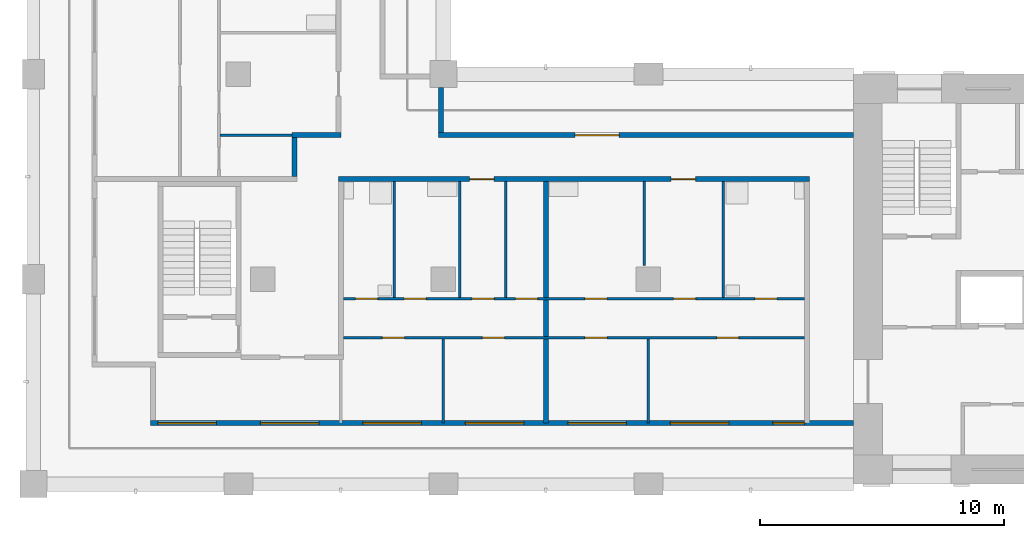
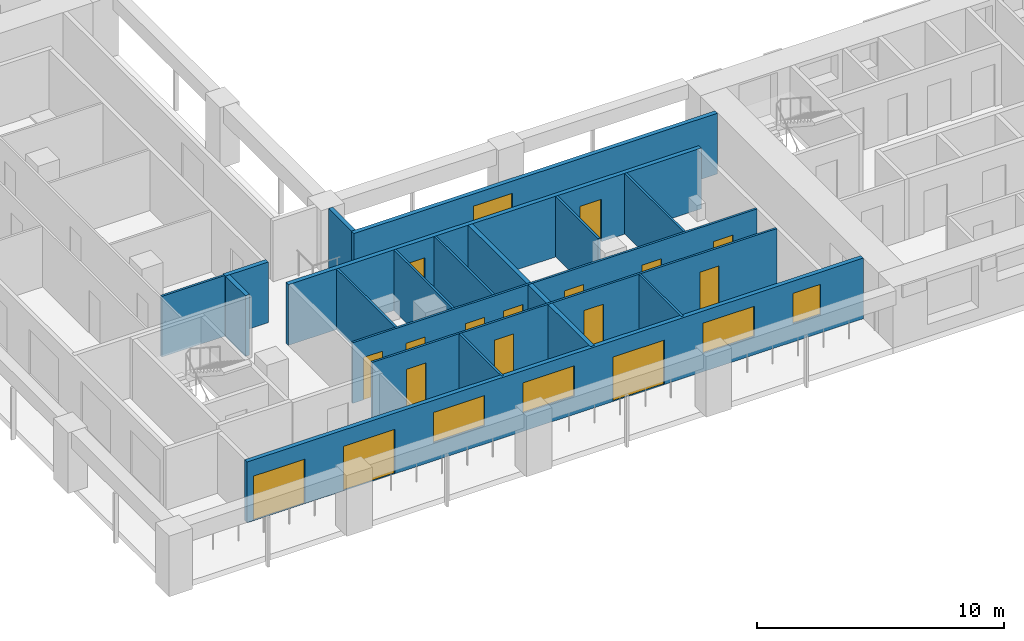
# One storey, part 2 of 11: 17 doors, 17 walls, 4 windows, 21 openings.
"""IFC4 building model written with IfcOpenShell, lengths in metres."""

from ifc_helpers import new_model, si_unit, direction, frame, frame_2d, origin, place, context, subcontext, project, spatial, rectangle, extrude, material, layer, layer_set, type_object, element, fill, save


model = new_model("IFC4")

# Units and contexts
model_context = context("Model", 3, precision=1e-05, world=origin(), true_north=direction((0.0, 1.0)))
body_context = subcontext(model_context, "Body", "Model", "MODEL_VIEW")
ifc_project = project(units=[si_unit("LENGTHUNIT", "METRE"), si_unit("AREAUNIT", "SQUARE_METRE"), si_unit("VOLUMEUNIT", "CUBIC_METRE"), si_unit("PLANEANGLEUNIT", "RADIAN"), si_unit("MASSUNIT", "GRAM", prefix="KILO")], contexts=[model_context])

# Site, building, storey
site_placement = place(None, origin())
site = spatial("IfcSite", under=ifc_project, at=site_placement, CompositionType="ELEMENT")
building_placement = place(site_placement, origin())
building = spatial("IfcBuilding", under=site, at=building_placement, Name="Vermilion Gate Residences", CompositionType="ELEMENT")
storey_placement = place(building_placement, frame((0.0, 0.0, 203.699951171875)))
storey = spatial("IfcBuildingStorey", under=building, at=storey_placement, Name="L53", CompositionType="ELEMENT", Elevation=203.699951171875)

# Wall, openings, doors, windows
ifc_material_1 = material(Name="Insulated steel stud wall with terracotta rainscreen", Category="masonry")
ifc_layer_1 = layer(ifc_material_1, 0.199951171875)
ifc_layer_set_1 = layer_set([ifc_layer_1], Name="EXTERNAL WALL 200 TERRACOTTA RAINSCREEN")
wall_type_1 = type_object("IfcWallType", Name="EXTERNAL WALL 200 TERRACOTTA RAINSCREEN", PredefinedType="SOLIDWALL", material=ifc_layer_set_1)
wall_1_placement = place(storey_placement, frame((13.199951171875, 10.89990234375, 0.0), z_axis=(0.0, 0.0, 1.0), x_axis=(1.0, 0.0, 0.0)))
wall_1 = element("IfcWall", 1, at=wall_1_placement, inside=storey, type_object=wall_type_1, Name="External wall", PredefinedType="SOLIDWALL", context=body_context, shape_type="SweptSolid", body=[
    extrude(rectangle(XDim=28.800048828125, YDim=0.199951171875, at=frame_2d((14.39990234375, 0.0))), origin(), (0.0, 0.0, 1.0), 3.0),
])
opening_1_placement = place(wall_1_placement, frame((0.300048828125, 0.0, 0.0)))
opening_1 = element("IfcOpeningElement", 2, at=opening_1_placement, cuts=wall_1, Name="Opening DE53008", PredefinedType="OPENING", context=body_context, shape_type="SweptSolid", body=[
    extrude(rectangle(XDim=2.39990234375, YDim=2.199951171875, at=frame_2d((1.199951171875, 1.10009765625))), frame((0.0, 0.10986328125, 0.0), z_axis=(0.0, -1.0, 0.0), x_axis=(1.0, 0.0, 0.0)), (0.0, 0.0, 1.0), 0.219970703125),
])
opening_2_placement = place(wall_1_placement, frame((4.5, 0.0, 0.0)))
opening_2 = element("IfcOpeningElement", 3, at=opening_2_placement, cuts=wall_1, Name="Opening DE53009", PredefinedType="OPENING", context=body_context, shape_type="SweptSolid", body=[
    extrude(rectangle(XDim=2.39990234375, YDim=2.199951171875, at=frame_2d((1.199951171875, 1.10009765625))), frame((0.0, 0.10986328125, 0.0), z_axis=(0.0, -1.0, 0.0), x_axis=(1.0, 0.0, 0.0)), (0.0, 0.0, 1.0), 0.219970703125),
])
opening_3_placement = place(wall_1_placement, frame((8.699951171875, 0.0, 0.89990234375)))
opening_3 = element("IfcOpeningElement", 4, at=opening_3_placement, cuts=wall_1, Name="Opening WE53010", PredefinedType="OPENING", context=body_context, shape_type="SweptSolid", body=[
    extrude(rectangle(XDim=2.39990234375, YDim=1.5, at=frame_2d((1.199951171875, 0.75))), frame((0.0, 0.10986328125, 0.0), z_axis=(0.0, -1.0, 0.0), x_axis=(1.0, 0.0, 0.0)), (0.0, 0.0, 1.0), 0.219970703125),
])
opening_4_placement = place(wall_1_placement, frame((12.89990234375, 0.0, 0.89990234375)))
opening_4 = element("IfcOpeningElement", 5, at=opening_4_placement, cuts=wall_1, Name="Opening WE53011", PredefinedType="OPENING", context=body_context, shape_type="SweptSolid", body=[
    extrude(rectangle(XDim=2.39990234375, YDim=1.5, at=frame_2d((1.199951171875, 0.75))), frame((0.0, 0.10986328125, 0.0), z_axis=(0.0, -1.0, 0.0), x_axis=(1.0, 0.0, 0.0)), (0.0, 0.0, 1.0), 0.219970703125),
])
opening_5_placement = place(wall_1_placement, frame((17.10009765625, 0.0, 0.0)))
opening_5 = element("IfcOpeningElement", 6, at=opening_5_placement, cuts=wall_1, Name="Opening DE53012", PredefinedType="OPENING", context=body_context, shape_type="SweptSolid", body=[
    extrude(rectangle(XDim=2.39990234375, YDim=2.199951171875, at=frame_2d((1.199951171875, 1.10009765625))), frame((0.0, 0.10986328125, 0.0), z_axis=(0.0, -1.0, 0.0), x_axis=(1.0, 0.0, 0.0)), (0.0, 0.0, 1.0), 0.219970703125),
])
opening_6_placement = place(wall_1_placement, frame((21.300048828125, 0.0, 0.89990234375)))
opening_6 = element("IfcOpeningElement", 7, at=opening_6_placement, cuts=wall_1, Name="Opening WE53013", PredefinedType="OPENING", context=body_context, shape_type="SweptSolid", body=[
    extrude(rectangle(XDim=2.39990234375, YDim=1.5, at=frame_2d((1.199951171875, 0.75))), frame((0.0, 0.10986328125, 0.0), z_axis=(0.0, -1.0, 0.0), x_axis=(1.0, 0.0, 0.0)), (0.0, 0.0, 1.0), 0.219970703125),
])
opening_7_placement = place(wall_1_placement, frame((25.5, 0.0, 0.89990234375)))
opening_7 = element("IfcOpeningElement", 8, at=opening_7_placement, cuts=wall_1, Name="Opening WE53014", PredefinedType="OPENING", context=body_context, shape_type="SweptSolid", body=[
    extrude(rectangle(XDim=1.300048828125, YDim=1.5, at=frame_2d((0.64990234375, 0.75))), frame((0.0, 0.10986328125, 0.0), z_axis=(0.0, -1.0, 0.0), x_axis=(1.0, 0.0, 0.0)), (0.0, 0.0, 1.0), 0.219970703125),
])
ifc_material_2 = material(Name="Aluminium and clear glass", Category="aluminium")
door_type_1 = type_object("IfcDoorType", Name="SLIDING GLAZED DOOR 2400 X 2200", OperationType="DOUBLE_DOOR_SLIDING", PredefinedType="DOOR", material=ifc_material_2)
door_1_placement = place(opening_1_placement, origin())
door_1 = element("IfcDoor", 9, at=door_1_placement, inside=storey, type_object=door_type_1, Name="Loggia sliding door", OperationType="DOUBLE_DOOR_SLIDING", OverallHeight=2.199951171875, OverallWidth=2.39990234375, PredefinedType="DOOR", context=body_context, shape_type="SweptSolid", body=[
    extrude(rectangle(XDim=2.39990234375, YDim=2.199951171875, at=frame_2d((1.199951171875, 1.10009765625))), frame((0.0, 0.02490234375, 0.0), z_axis=(0.0, -1.0, 0.0), x_axis=(1.0, 0.0, 0.0)), (0.0, 0.0, 1.0), 0.050048828125),
])
fill(opening_1, door_1)
door_2_placement = place(opening_2_placement, origin())
door_2 = element("IfcDoor", 10, at=door_2_placement, inside=storey, type_object=door_type_1, Name="Loggia sliding door", OperationType="DOUBLE_DOOR_SLIDING", OverallHeight=2.199951171875, OverallWidth=2.39990234375, PredefinedType="DOOR", context=body_context, shape_type="SweptSolid", body=[
    extrude(rectangle(XDim=2.39990234375, YDim=2.199951171875, at=frame_2d((1.199951171875, 1.10009765625))), frame((0.0, 0.02490234375, 0.0), z_axis=(0.0, -1.0, 0.0), x_axis=(1.0, 0.0, 0.0)), (0.0, 0.0, 1.0), 0.050048828125),
])
fill(opening_2, door_2)
door_3_placement = place(opening_5_placement, origin())
door_3 = element("IfcDoor", 11, at=door_3_placement, inside=storey, type_object=door_type_1, Name="Loggia sliding door", OperationType="DOUBLE_DOOR_SLIDING", OverallHeight=2.199951171875, OverallWidth=2.39990234375, PredefinedType="DOOR", context=body_context, shape_type="SweptSolid", body=[
    extrude(rectangle(XDim=2.39990234375, YDim=2.199951171875, at=frame_2d((1.199951171875, 1.10009765625))), frame((0.0, 0.02490234375, 0.0), z_axis=(0.0, -1.0, 0.0), x_axis=(1.0, 0.0, 0.0)), (0.0, 0.0, 1.0), 0.050048828125),
])
fill(opening_5, door_3)
ifc_material_3 = material(Name="Aluminium and clear glass", Category="aluminium")
window_type_1 = type_object("IfcWindowType", Name="WINDOW 1300 X 1500", PartitioningType="SINGLE_PANEL", PredefinedType="WINDOW", material=ifc_material_3)
window_1_placement = place(opening_7_placement, origin())
window_1 = element("IfcWindow", 12, at=window_1_placement, inside=storey, type_object=window_type_1, Name="Window", OverallHeight=1.5, OverallWidth=1.300048828125, PartitioningType="SINGLE_PANEL", PredefinedType="WINDOW", context=body_context, shape_type="SweptSolid", body=[
    extrude(rectangle(XDim=1.300048828125, YDim=1.5, at=frame_2d((0.64990234375, 0.75))), frame((0.0, 0.030029296875, 0.0), z_axis=(0.0, -1.0, 0.0), x_axis=(1.0, 0.0, 0.0)), (0.0, 0.0, 1.0), 0.06005859375),
])
fill(opening_7, window_1)
ifc_material_4 = material(Name="Aluminium and clear glass", Category="aluminium")
window_type_2 = type_object("IfcWindowType", Name="WINDOW 2400 X 1500", PartitioningType="SINGLE_PANEL", PredefinedType="WINDOW", material=ifc_material_4)
window_2_placement = place(opening_3_placement, origin())
window_2 = element("IfcWindow", 13, at=window_2_placement, inside=storey, type_object=window_type_2, Name="Window", OverallHeight=1.5, OverallWidth=2.39990234375, PartitioningType="SINGLE_PANEL", PredefinedType="WINDOW", context=body_context, shape_type="SweptSolid", body=[
    extrude(rectangle(XDim=2.39990234375, YDim=1.5, at=frame_2d((1.199951171875, 0.75))), frame((0.0, 0.030029296875, 0.0), z_axis=(0.0, -1.0, 0.0), x_axis=(1.0, 0.0, 0.0)), (0.0, 0.0, 1.0), 0.06005859375),
])
fill(opening_3, window_2)
window_3_placement = place(opening_4_placement, origin())
window_3 = element("IfcWindow", 14, at=window_3_placement, inside=storey, type_object=window_type_2, Name="Window", OverallHeight=1.5, OverallWidth=2.39990234375, PartitioningType="SINGLE_PANEL", PredefinedType="WINDOW", context=body_context, shape_type="SweptSolid", body=[
    extrude(rectangle(XDim=2.39990234375, YDim=1.5, at=frame_2d((1.199951171875, 0.75))), frame((0.0, 0.030029296875, 0.0), z_axis=(0.0, -1.0, 0.0), x_axis=(1.0, 0.0, 0.0)), (0.0, 0.0, 1.0), 0.06005859375),
])
fill(opening_4, window_3)
window_4_placement = place(opening_6_placement, origin())
window_4 = element("IfcWindow", 15, at=window_4_placement, inside=storey, type_object=window_type_2, Name="Window", OverallHeight=1.5, OverallWidth=2.39990234375, PartitioningType="SINGLE_PANEL", PredefinedType="WINDOW", context=body_context, shape_type="SweptSolid", body=[
    extrude(rectangle(XDim=2.39990234375, YDim=1.5, at=frame_2d((1.199951171875, 0.75))), frame((0.0, 0.030029296875, 0.0), z_axis=(0.0, -1.0, 0.0), x_axis=(1.0, 0.0, 0.0)), (0.0, 0.0, 1.0), 0.06005859375),
])
fill(opening_6, window_4)

# Wall, opening, door
wall_2_placement = place(storey_placement, frame((42.0, 22.699951171875, 0.0), z_axis=(0.0, 0.0, 1.0), x_axis=(-1.0, 0.0, 0.0)))
wall_2 = element("IfcWall", 16, at=wall_2_placement, inside=storey, type_object=wall_type_1, Name="External wall", PredefinedType="SOLIDWALL", context=body_context, shape_type="SweptSolid", body=[
    extrude(rectangle(XDim=17.0, YDim=0.199951171875, at=frame_2d((8.5, 0.0))), origin(), (0.0, 0.0, 1.0), 3.0),
])
opening_8_placement = place(wall_2_placement, frame((9.60009765625, 0.0, 0.0)))
opening_8 = element("IfcOpeningElement", 17, at=opening_8_placement, cuts=wall_2, Name="Opening DE53020", PredefinedType="OPENING", context=body_context, shape_type="SweptSolid", body=[
    extrude(rectangle(XDim=1.800048828125, YDim=2.39990234375, at=frame_2d((0.89990234375, 1.199951171875))), frame((0.0, 0.10986328125, 0.0), z_axis=(0.0, -1.0, 0.0), x_axis=(1.0, 0.0, 0.0)), (0.0, 0.0, 1.0), 0.219970703125),
])
ifc_material_5 = material(Name="Aluminium and clear glass", Category="aluminium")
door_type_2 = type_object("IfcDoorType", Name="GLAZED EXTERNAL DOOR 1800 X 2400", OperationType="DOUBLE_DOOR_SINGLE_SWING", PredefinedType="DOOR", material=ifc_material_5)
door_4_placement = place(opening_8_placement, frame((1.800048828125, 0.0, 0.0), z_axis=(0.0, 0.0, 1.0), x_axis=(-1.0, 0.0, 0.0)))
door_4 = element("IfcDoor", 18, at=door_4_placement, inside=storey, type_object=door_type_2, Name="Gallery door", OperationType="DOUBLE_DOOR_SINGLE_SWING", OverallHeight=2.39990234375, OverallWidth=1.800048828125, PredefinedType="DOOR", context=body_context, shape_type="SweptSolid", body=[
    extrude(rectangle(XDim=1.800048828125, YDim=2.39990234375, at=frame_2d((0.89990234375, 1.199951171875))), frame((0.0, 0.02490234375, 0.0), z_axis=(0.0, -1.0, 0.0), x_axis=(1.0, 0.0, 0.0)), (0.0, 0.0, 1.0), 0.050048828125),
])
fill(opening_8, door_4)

# Wall
wall_3_placement = place(storey_placement, frame((25.10009765625, 22.800048828125, 0.0), z_axis=(0.0, 0.0, 1.0), x_axis=(0.0, 1.0, 0.0)))
element("IfcWall", 19, at=wall_3_placement, inside=storey, type_object=wall_type_1, Name="External wall", PredefinedType="SOLIDWALL", context=body_context, shape_type="SweptSolid", body=[
    extrude(rectangle(XDim=1.849853515625, YDim=0.199951171875, at=frame_2d((0.9248046875, 0.0))), origin(), (0.0, 0.0, 1.0), 3.0),
])

# Wall, openings, doors
ifc_material_6 = material(Name="Plasterboard on steel studs", Category="steel")
ifc_layer_2 = layer(ifc_material_6, 0.10009765625)
ifc_layer_set_2 = layer_set([ifc_layer_2], Name="PARTITION 100")
wall_type_2 = type_object("IfcWallType", Name="PARTITION 100", PredefinedType="PARTITIONING", material=ifc_layer_set_2)
wall_4_placement = place(storey_placement, frame((21.10009765625, 14.39990234375, 0.0), z_axis=(0.0, 0.0, 1.0), x_axis=(1.0, 0.0, 0.0)))
wall_4 = element("IfcWall", 20, at=wall_4_placement, inside=storey, type_object=wall_type_2, Name="Partition", PredefinedType="PARTITIONING", context=body_context, shape_type="SweptSolid", body=[
    extrude(rectangle(XDim=18.89990234375, YDim=0.10009765625, at=frame_2d((9.449951171875, 0.0))), origin(), (0.0, 0.0, 1.0), 3.0),
])
opening_9_placement = place(wall_4_placement, frame((1.60009765625, 0.0, 0.0)))
opening_9 = element("IfcOpeningElement", 21, at=opening_9_placement, cuts=wall_4, Name="Opening DA52002", PredefinedType="OPENING", context=body_context, shape_type="SweptSolid", body=[
    extrude(rectangle(XDim=0.89990234375, YDim=2.10009765625, at=frame_2d((0.449951171875, 1.050048828125))), frame((0.0, 0.06005859375, 0.0), z_axis=(0.0, -1.0, 0.0), x_axis=(1.0, 0.0, 0.0)), (0.0, 0.0, 1.0), 0.1201171875),
])
opening_10_placement = place(wall_4_placement, frame((5.699951171875, 0.0, 0.0)))
opening_10 = element("IfcOpeningElement", 22, at=opening_10_placement, cuts=wall_4, Name="Opening DA52003", PredefinedType="OPENING", context=body_context, shape_type="SweptSolid", body=[
    extrude(rectangle(XDim=0.89990234375, YDim=2.10009765625, at=frame_2d((0.449951171875, 1.050048828125))), frame((0.0, 0.06005859375, 0.0), z_axis=(0.0, -1.0, 0.0), x_axis=(1.0, 0.0, 0.0)), (0.0, 0.0, 1.0), 0.1201171875),
])
opening_11_placement = place(wall_4_placement, frame((9.89990234375, 0.0, 0.0)))
opening_11 = element("IfcOpeningElement", 23, at=opening_11_placement, cuts=wall_4, Name="Opening DA52004", PredefinedType="OPENING", context=body_context, shape_type="SweptSolid", body=[
    extrude(rectangle(XDim=0.89990234375, YDim=2.10009765625, at=frame_2d((0.449951171875, 1.050048828125))), frame((0.0, 0.06005859375, 0.0), z_axis=(0.0, -1.0, 0.0), x_axis=(1.0, 0.0, 0.0)), (0.0, 0.0, 1.0), 0.1201171875),
])
opening_12_placement = place(wall_4_placement, frame((15.300048828125, 0.0, 0.0)))
opening_12 = element("IfcOpeningElement", 24, at=opening_12_placement, cuts=wall_4, Name="Opening DA52005", PredefinedType="OPENING", context=body_context, shape_type="SweptSolid", body=[
    extrude(rectangle(XDim=0.89990234375, YDim=2.10009765625, at=frame_2d((0.449951171875, 1.050048828125))), frame((0.0, 0.06005859375, 0.0), z_axis=(0.0, -1.0, 0.0), x_axis=(1.0, 0.0, 0.0)), (0.0, 0.0, 1.0), 0.1201171875),
])
ifc_material_7 = material(Name="Timber", Category="wood")
door_type_3 = type_object("IfcDoorType", Name="INTERIOR DOOR 900 X 2100", OperationType="SINGLE_SWING_LEFT", PredefinedType="DOOR", material=ifc_material_7)
door_5_placement = place(opening_9_placement, frame((0.89990234375, 0.0, 0.0), z_axis=(0.0, 0.0, 1.0), x_axis=(-1.0, 0.0, 0.0)))
door_5 = element("IfcDoor", 25, at=door_5_placement, inside=storey, type_object=door_type_3, Name="Interior door", OperationType="SINGLE_SWING_LEFT", OverallHeight=2.10009765625, OverallWidth=0.89990234375, PredefinedType="DOOR", context=body_context, shape_type="SweptSolid", body=[
    extrude(rectangle(XDim=0.89990234375, YDim=2.10009765625, at=frame_2d((0.449951171875, 1.050048828125))), frame((0.0, 0.02490234375, 0.0), z_axis=(0.0, -1.0, 0.0), x_axis=(1.0, 0.0, 0.0)), (0.0, 0.0, 1.0), 0.050048828125),
])
fill(opening_9, door_5)
door_6_placement = place(opening_10_placement, frame((0.89990234375, 0.0, 0.0), z_axis=(0.0, 0.0, 1.0), x_axis=(-1.0, 0.0, 0.0)))
door_6 = element("IfcDoor", 26, at=door_6_placement, inside=storey, type_object=door_type_3, Name="Interior door", OperationType="SINGLE_SWING_RIGHT", OverallHeight=2.10009765625, OverallWidth=0.89990234375, PredefinedType="DOOR", context=body_context, shape_type="SweptSolid", body=[
    extrude(rectangle(XDim=0.89990234375, YDim=2.10009765625, at=frame_2d((0.449951171875, 1.050048828125))), frame((0.0, 0.02490234375, 0.0), z_axis=(0.0, -1.0, 0.0), x_axis=(1.0, 0.0, 0.0)), (0.0, 0.0, 1.0), 0.050048828125),
])
fill(opening_10, door_6)
door_7_placement = place(opening_11_placement, frame((0.89990234375, 0.0, 0.0), z_axis=(0.0, 0.0, 1.0), x_axis=(-1.0, 0.0, 0.0)))
door_7 = element("IfcDoor", 27, at=door_7_placement, inside=storey, type_object=door_type_3, Name="Interior door", OperationType="SINGLE_SWING_RIGHT", OverallHeight=2.10009765625, OverallWidth=0.89990234375, PredefinedType="DOOR", context=body_context, shape_type="SweptSolid", body=[
    extrude(rectangle(XDim=0.89990234375, YDim=2.10009765625, at=frame_2d((0.449951171875, 1.050048828125))), frame((0.0, 0.02490234375, 0.0), z_axis=(0.0, -1.0, 0.0), x_axis=(1.0, 0.0, 0.0)), (0.0, 0.0, 1.0), 0.050048828125),
])
fill(opening_11, door_7)
door_8_placement = place(opening_12_placement, frame((0.89990234375, 0.0, 0.0), z_axis=(0.0, 0.0, 1.0), x_axis=(-1.0, 0.0, 0.0)))
door_8 = element("IfcDoor", 28, at=door_8_placement, inside=storey, type_object=door_type_3, Name="Interior door", OperationType="SINGLE_SWING_LEFT", OverallHeight=2.10009765625, OverallWidth=0.89990234375, PredefinedType="DOOR", context=body_context, shape_type="SweptSolid", body=[
    extrude(rectangle(XDim=0.89990234375, YDim=2.10009765625, at=frame_2d((0.449951171875, 1.050048828125))), frame((0.0, 0.02490234375, 0.0), z_axis=(0.0, -1.0, 0.0), x_axis=(1.0, 0.0, 0.0)), (0.0, 0.0, 1.0), 0.050048828125),
])
fill(opening_12, door_8)

wall_5_placement = place(storey_placement, frame((21.10009765625, 16.0, 0.0), z_axis=(0.0, 0.0, 1.0), x_axis=(1.0, 0.0, 0.0)))
wall_5 = element("IfcWall", 29, at=wall_5_placement, inside=storey, type_object=wall_type_2, Name="Partition", PredefinedType="PARTITIONING", context=body_context, shape_type="SweptSolid", body=[
    extrude(rectangle(XDim=18.89990234375, YDim=0.10009765625, at=frame_2d((9.449951171875, 0.0))), origin(), (0.0, 0.0, 1.0), 3.0),
])
opening_13_placement = place(wall_5_placement, frame((5.27392578125, 0.0, 0.0)))
opening_13 = element("IfcOpeningElement", 30, at=opening_13_placement, cuts=wall_5, Name="Opening DA52006", PredefinedType="OPENING", context=body_context, shape_type="SweptSolid", body=[
    extrude(rectangle(XDim=0.89990234375, YDim=2.10009765625, at=frame_2d((0.449951171875, 1.050048828125))), frame((0.0, 0.06005859375, 0.0), z_axis=(0.0, -1.0, 0.0), x_axis=(1.0, 0.0, 0.0)), (0.0, 0.0, 1.0), 0.1201171875),
])
opening_14_placement = place(wall_5_placement, frame((0.5, 0.0, 0.0)))
opening_14 = element("IfcOpeningElement", 31, at=opening_14_placement, cuts=wall_5, Name="Opening DA52007", PredefinedType="OPENING", context=body_context, shape_type="SweptSolid", body=[
    extrude(rectangle(XDim=0.89990234375, YDim=2.10009765625, at=frame_2d((0.449951171875, 1.050048828125))), frame((0.0, 0.06005859375, 0.0), z_axis=(0.0, -1.0, 0.0), x_axis=(1.0, 0.0, 0.0)), (0.0, 0.0, 1.0), 0.1201171875),
])
opening_15_placement = place(wall_5_placement, frame((2.489990234375, 0.0, 0.0)))
opening_15 = element("IfcOpeningElement", 32, at=opening_15_placement, cuts=wall_5, Name="Opening DA52008", PredefinedType="OPENING", context=body_context, shape_type="SweptSolid", body=[
    extrude(rectangle(XDim=0.89990234375, YDim=2.10009765625, at=frame_2d((0.449951171875, 1.050048828125))), frame((0.0, 0.06005859375, 0.0), z_axis=(0.0, -1.0, 0.0), x_axis=(1.0, 0.0, 0.0)), (0.0, 0.0, 1.0), 0.1201171875),
])
opening_16_placement = place(wall_5_placement, frame((7.05810546875, 0.0, 0.0)))
opening_16 = element("IfcOpeningElement", 33, at=opening_16_placement, cuts=wall_5, Name="Opening DA52009", PredefinedType="OPENING", context=body_context, shape_type="SweptSolid", body=[
    extrude(rectangle(XDim=0.89990234375, YDim=2.10009765625, at=frame_2d((0.449951171875, 1.050048828125))), frame((0.0, 0.06005859375, 0.0), z_axis=(0.0, -1.0, 0.0), x_axis=(1.0, 0.0, 0.0)), (0.0, 0.0, 1.0), 0.1201171875),
])
opening_17_placement = place(wall_5_placement, frame((13.532958984375, 0.0, 0.0)))
opening_17 = element("IfcOpeningElement", 34, at=opening_17_placement, cuts=wall_5, Name="Opening DA52010", PredefinedType="OPENING", context=body_context, shape_type="SweptSolid", body=[
    extrude(rectangle(XDim=0.89990234375, YDim=2.10009765625, at=frame_2d((0.449951171875, 1.050048828125))), frame((0.0, 0.06005859375, 0.0), z_axis=(0.0, -1.0, 0.0), x_axis=(1.0, 0.0, 0.0)), (0.0, 0.0, 1.0), 0.1201171875),
])
opening_18_placement = place(wall_5_placement, frame((9.89990234375, 0.0, 0.0)))
opening_18 = element("IfcOpeningElement", 35, at=opening_18_placement, cuts=wall_5, Name="Opening DA52011", PredefinedType="OPENING", context=body_context, shape_type="SweptSolid", body=[
    extrude(rectangle(XDim=0.89990234375, YDim=2.10009765625, at=frame_2d((0.449951171875, 1.050048828125))), frame((0.0, 0.06005859375, 0.0), z_axis=(0.0, -1.0, 0.0), x_axis=(1.0, 0.0, 0.0)), (0.0, 0.0, 1.0), 0.1201171875),
])
opening_19_placement = place(wall_5_placement, frame((16.866943359375, 0.0, 0.0)))
opening_19 = element("IfcOpeningElement", 36, at=opening_19_placement, cuts=wall_5, Name="Opening DA52012", PredefinedType="OPENING", context=body_context, shape_type="SweptSolid", body=[
    extrude(rectangle(XDim=0.89990234375, YDim=2.10009765625, at=frame_2d((0.449951171875, 1.050048828125))), frame((0.0, 0.06005859375, 0.0), z_axis=(0.0, -1.0, 0.0), x_axis=(1.0, 0.0, 0.0)), (0.0, 0.0, 1.0), 0.1201171875),
])
door_9_placement = place(opening_13_placement, origin())
door_9 = element("IfcDoor", 37, at=door_9_placement, inside=storey, type_object=door_type_3, Name="Interior door", OperationType="SINGLE_SWING_RIGHT", OverallHeight=2.10009765625, OverallWidth=0.89990234375, PredefinedType="DOOR", context=body_context, shape_type="SweptSolid", body=[
    extrude(rectangle(XDim=0.89990234375, YDim=2.10009765625, at=frame_2d((0.449951171875, 1.050048828125))), frame((0.0, 0.02490234375, 0.0), z_axis=(0.0, -1.0, 0.0), x_axis=(1.0, 0.0, 0.0)), (0.0, 0.0, 1.0), 0.050048828125),
])
fill(opening_13, door_9)
door_10_placement = place(opening_14_placement, origin())
door_10 = element("IfcDoor", 38, at=door_10_placement, inside=storey, type_object=door_type_3, Name="Interior door", OperationType="SINGLE_SWING_RIGHT", OverallHeight=2.10009765625, OverallWidth=0.89990234375, PredefinedType="DOOR", context=body_context, shape_type="SweptSolid", body=[
    extrude(rectangle(XDim=0.89990234375, YDim=2.10009765625, at=frame_2d((0.449951171875, 1.050048828125))), frame((0.0, 0.02490234375, 0.0), z_axis=(0.0, -1.0, 0.0), x_axis=(1.0, 0.0, 0.0)), (0.0, 0.0, 1.0), 0.050048828125),
])
fill(opening_14, door_10)
door_11_placement = place(opening_15_placement, origin())
door_11 = element("IfcDoor", 39, at=door_11_placement, inside=storey, type_object=door_type_3, Name="Interior door", OperationType="SINGLE_SWING_LEFT", OverallHeight=2.10009765625, OverallWidth=0.89990234375, PredefinedType="DOOR", context=body_context, shape_type="SweptSolid", body=[
    extrude(rectangle(XDim=0.89990234375, YDim=2.10009765625, at=frame_2d((0.449951171875, 1.050048828125))), frame((0.0, 0.02490234375, 0.0), z_axis=(0.0, -1.0, 0.0), x_axis=(1.0, 0.0, 0.0)), (0.0, 0.0, 1.0), 0.050048828125),
])
fill(opening_15, door_11)
door_12_placement = place(opening_16_placement, origin())
door_12 = element("IfcDoor", 40, at=door_12_placement, inside=storey, type_object=door_type_3, Name="Interior door", OperationType="SINGLE_SWING_RIGHT", OverallHeight=2.10009765625, OverallWidth=0.89990234375, PredefinedType="DOOR", context=body_context, shape_type="SweptSolid", body=[
    extrude(rectangle(XDim=0.89990234375, YDim=2.10009765625, at=frame_2d((0.449951171875, 1.050048828125))), frame((0.0, 0.02490234375, 0.0), z_axis=(0.0, -1.0, 0.0), x_axis=(1.0, 0.0, 0.0)), (0.0, 0.0, 1.0), 0.050048828125),
])
fill(opening_16, door_12)
door_13_placement = place(opening_17_placement, origin())
door_13 = element("IfcDoor", 41, at=door_13_placement, inside=storey, type_object=door_type_3, Name="Interior door", OperationType="SINGLE_SWING_RIGHT", OverallHeight=2.10009765625, OverallWidth=0.89990234375, PredefinedType="DOOR", context=body_context, shape_type="SweptSolid", body=[
    extrude(rectangle(XDim=0.89990234375, YDim=2.10009765625, at=frame_2d((0.449951171875, 1.050048828125))), frame((0.0, 0.02490234375, 0.0), z_axis=(0.0, -1.0, 0.0), x_axis=(1.0, 0.0, 0.0)), (0.0, 0.0, 1.0), 0.050048828125),
])
fill(opening_17, door_13)
door_14_placement = place(opening_18_placement, origin())
door_14 = element("IfcDoor", 42, at=door_14_placement, inside=storey, type_object=door_type_3, Name="Interior door", OperationType="SINGLE_SWING_LEFT", OverallHeight=2.10009765625, OverallWidth=0.89990234375, PredefinedType="DOOR", context=body_context, shape_type="SweptSolid", body=[
    extrude(rectangle(XDim=0.89990234375, YDim=2.10009765625, at=frame_2d((0.449951171875, 1.050048828125))), frame((0.0, 0.02490234375, 0.0), z_axis=(0.0, -1.0, 0.0), x_axis=(1.0, 0.0, 0.0)), (0.0, 0.0, 1.0), 0.050048828125),
])
fill(opening_18, door_14)
door_15_placement = place(opening_19_placement, origin())
door_15 = element("IfcDoor", 43, at=door_15_placement, inside=storey, type_object=door_type_3, Name="Interior door", OperationType="SINGLE_SWING_LEFT", OverallHeight=2.10009765625, OverallWidth=0.89990234375, PredefinedType="DOOR", context=body_context, shape_type="SweptSolid", body=[
    extrude(rectangle(XDim=0.89990234375, YDim=2.10009765625, at=frame_2d((0.449951171875, 1.050048828125))), frame((0.0, 0.02490234375, 0.0), z_axis=(0.0, -1.0, 0.0), x_axis=(1.0, 0.0, 0.0)), (0.0, 0.0, 1.0), 0.050048828125),
])
fill(opening_19, door_15)

# Walls
wall_6_placement = place(storey_placement, frame((16.050048828125, 22.699951171875, 0.0), z_axis=(0.0, 0.0, 1.0), x_axis=(1.0, 0.0, 0.0)))
element("IfcWall", 44, at=wall_6_placement, inside=storey, type_object=wall_type_2, Name="Partition", PredefinedType="PARTITIONING", context=body_context, shape_type="SweptSolid", body=[
    extrude(rectangle(XDim=2.949951171875, YDim=0.10009765625, at=frame_2d((1.47509765625, 0.0))), origin(), (0.0, 0.0, 1.0), 3.0),
])
wall_7_placement = place(storey_placement, frame((23.18994140625, 16.050048828125, 0.0), z_axis=(0.0, 0.0, 1.0), x_axis=(0.0, 1.0, 0.0)))
element("IfcWall", 45, at=wall_7_placement, inside=storey, type_object=wall_type_2, Name="Partition", PredefinedType="PARTITIONING", context=body_context, shape_type="SweptSolid", body=[
    extrude(rectangle(XDim=4.75, YDim=0.10009765625, at=frame_2d((2.375, 0.0))), origin(), (0.0, 0.0, 1.0), 3.0),
])
wall_8_placement = place(storey_placement, frame((25.199951171875, 10.89990234375, 0.0), z_axis=(0.0, 0.0, 1.0), x_axis=(0.0, 1.0, 0.0)))
element("IfcWall", 46, at=wall_8_placement, inside=storey, type_object=wall_type_2, Name="Partition", PredefinedType="PARTITIONING", context=body_context, shape_type="SweptSolid", body=[
    extrude(rectangle(XDim=3.4501953125, YDim=0.10009765625, at=frame_2d((1.72509765625, 0.0))), origin(), (0.0, 0.0, 1.0), 3.0),
])
for number, where, z_axis, x_axis, name in (
    (47, (25.8740234375, 16.050048828125, 0.0), (0.0, 0.0, 1.0), (0.0, 1.0, 0.0), "Partition"),
    (48, (27.758056640625, 16.050048828125, 0.0), (0.0, 0.0, 1.0), (0.0, 1.0, 0.0), "Partition"),
):
    element("IfcWall", number, at=place(storey_placement, frame(where, z_axis=z_axis, x_axis=x_axis)), inside=storey, type_object=wall_type_2, Name=name, PredefinedType="PARTITIONING", context=body_context, shape_type="SweptSolid", body=[
        extrude(rectangle(XDim=4.75, YDim=0.10009765625, at=frame_2d((2.375, 0.0))), origin(), (0.0, 0.0, 1.0), 3.0),
    ])
wall_9_placement = place(storey_placement, frame((33.43310546875, 17.35009765625, 0.0), z_axis=(0.0, 0.0, 1.0), x_axis=(0.0, 1.0, 0.0)))
element("IfcWall", 49, at=wall_9_placement, inside=storey, type_object=wall_type_2, Name="Partition", PredefinedType="PARTITIONING", context=body_context, shape_type="SweptSolid", body=[
    extrude(rectangle(XDim=3.449951171875, YDim=0.10009765625, at=frame_2d((1.72509765625, 0.0))), origin(), (0.0, 0.0, 1.0), 3.0),
])
wall_10_placement = place(storey_placement, frame((33.60009765625, 10.89990234375, 0.0), z_axis=(0.0, 0.0, 1.0), x_axis=(0.0, 1.0, 0.0)))
element("IfcWall", 50, at=wall_10_placement, inside=storey, type_object=wall_type_2, Name="Partition", PredefinedType="PARTITIONING", context=body_context, shape_type="SweptSolid", body=[
    extrude(rectangle(XDim=3.4501953125, YDim=0.10009765625, at=frame_2d((1.72509765625, 0.0))), origin(), (0.0, 0.0, 1.0), 3.0),
])
wall_11_placement = place(storey_placement, frame((36.6669921875, 16.050048828125, 0.0), z_axis=(0.0, 0.0, 1.0), x_axis=(0.0, 1.0, 0.0)))
element("IfcWall", 51, at=wall_11_placement, inside=storey, type_object=wall_type_2, Name="Partition", PredefinedType="PARTITIONING", context=body_context, shape_type="SweptSolid", body=[
    extrude(rectangle(XDim=4.75, YDim=0.10009765625, at=frame_2d((2.375, 0.0))), origin(), (0.0, 0.0, 1.0), 3.0),
])

# Wall, openings, doors
ifc_material_8 = material(Name="Fire-rated plasterboard on steel studs", Category="steel")
ifc_layer_3 = layer(ifc_material_8, 0.199951171875)
ifc_layer_set_3 = layer_set([ifc_layer_3], Name="PARTY WALL 200 EI 120")
wall_type_3 = type_object("IfcWallType", Name="PARTY WALL 200 EI 120", PredefinedType="PARTITIONING", material=ifc_layer_set_3)
wall_12_placement = place(storey_placement, frame((20.89990234375, 20.89990234375, 0.0), z_axis=(0.0, 0.0, 1.0), x_axis=(1.0, 0.0, 0.0)))
wall_12 = element("IfcWall", 52, at=wall_12_placement, inside=storey, type_object=wall_type_3, Name="Party and corridor wall", PredefinedType="PARTITIONING", context=body_context, shape_type="SweptSolid", body=[
    extrude(rectangle(XDim=19.300048828125, YDim=0.199951171875, at=frame_2d((9.64990234375, 0.0))), origin(), (0.0, 0.0, 1.0), 3.0),
])
opening_20_placement = place(wall_12_placement, frame((5.3740234375, 0.0, 0.0)))
opening_20 = element("IfcOpeningElement", 53, at=opening_20_placement, cuts=wall_12, Name="Opening DA52013", PredefinedType="OPENING", context=body_context, shape_type="SweptSolid", body=[
    extrude(rectangle(XDim=1.0, YDim=2.10009765625, at=frame_2d((0.5, 1.050048828125))), frame((0.0, 0.10986328125, 0.0), z_axis=(0.0, -1.0, 0.0), x_axis=(1.0, 0.0, 0.0)), (0.0, 0.0, 1.0), 0.219970703125),
])
opening_21_placement = place(wall_12_placement, frame((13.633056640625, 0.0, 0.0)))
opening_21 = element("IfcOpeningElement", 54, at=opening_21_placement, cuts=wall_12, Name="Opening DA52014", PredefinedType="OPENING", context=body_context, shape_type="SweptSolid", body=[
    extrude(rectangle(XDim=1.0, YDim=2.10009765625, at=frame_2d((0.5, 1.050048828125))), frame((0.0, 0.10986328125, 0.0), z_axis=(0.0, -1.0, 0.0), x_axis=(1.0, 0.0, 0.0)), (0.0, 0.0, 1.0), 0.219970703125),
])
ifc_material_9 = material(Name="Steel", Category="steel")
door_type_4 = type_object("IfcDoorType", Name="ENTRANCE DOOR 1000 X 2100 FD30", OperationType="SINGLE_SWING_LEFT", PredefinedType="DOOR", material=ifc_material_9)
door_16_placement = place(opening_20_placement, frame((1.0, 0.0, 0.0), z_axis=(0.0, 0.0, 1.0), x_axis=(-1.0, 0.0, 0.0)))
door_16 = element("IfcDoor", 55, at=door_16_placement, inside=storey, type_object=door_type_4, Name="Entrance door", OperationType="SINGLE_SWING_RIGHT", OverallHeight=2.10009765625, OverallWidth=1.0, PredefinedType="DOOR", context=body_context, shape_type="SweptSolid", body=[
    extrude(rectangle(XDim=1.0, YDim=2.10009765625, at=frame_2d((0.5, 1.050048828125))), frame((0.0, 0.02490234375, 0.0), z_axis=(0.0, -1.0, 0.0), x_axis=(1.0, 0.0, 0.0)), (0.0, 0.0, 1.0), 0.050048828125),
])
fill(opening_20, door_16)
door_17_placement = place(opening_21_placement, frame((1.0, 0.0, 0.0), z_axis=(0.0, 0.0, 1.0), x_axis=(-1.0, 0.0, 0.0)))
door_17 = element("IfcDoor", 56, at=door_17_placement, inside=storey, type_object=door_type_4, Name="Entrance door", OperationType="SINGLE_SWING_RIGHT", OverallHeight=2.10009765625, OverallWidth=1.0, PredefinedType="DOOR", context=body_context, shape_type="SweptSolid", body=[
    extrude(rectangle(XDim=1.0, YDim=2.10009765625, at=frame_2d((0.5, 1.050048828125))), frame((0.0, 0.02490234375, 0.0), z_axis=(0.0, -1.0, 0.0), x_axis=(1.0, 0.0, 0.0)), (0.0, 0.0, 1.0), 0.050048828125),
])
fill(opening_21, door_17)

# Walls
wall_13_placement = place(storey_placement, frame((19.0, 22.699951171875, 0.0), z_axis=(0.0, 0.0, 1.0), x_axis=(1.0, 0.0, 0.0)))
element("IfcWall", 57, at=wall_13_placement, inside=storey, type_object=wall_type_3, Name="Party and corridor wall", PredefinedType="PARTITIONING", context=body_context, shape_type="SweptSolid", body=[
    extrude(rectangle(XDim=2.0, YDim=0.199951171875, at=frame_2d((1.0, 0.0))), origin(), (0.0, 0.0, 1.0), 3.0),
])
wall_14_placement = place(storey_placement, frame((19.10009765625, 21.0, 0.0), z_axis=(0.0, 0.0, 1.0), x_axis=(0.0, 1.0, 0.0)))
element("IfcWall", 58, at=wall_14_placement, inside=storey, type_object=wall_type_3, Name="Party and corridor wall", PredefinedType="PARTITIONING", context=body_context, shape_type="SweptSolid", body=[
    extrude(rectangle(XDim=1.60009765625, YDim=0.199951171875, at=frame_2d((0.800048828125, 0.0))), origin(), (0.0, 0.0, 1.0), 3.0),
])
wall_15_placement = place(storey_placement, frame((29.39990234375, 10.89990234375, 0.0), z_axis=(0.0, 0.0, 1.0), x_axis=(0.0, 1.0, 0.0)))
element("IfcWall", 59, at=wall_15_placement, inside=storey, type_object=wall_type_3, Name="Party and corridor wall", PredefinedType="PARTITIONING", context=body_context, shape_type="SweptSolid", body=[
    extrude(rectangle(XDim=9.900146484375, YDim=0.199951171875, at=frame_2d((4.9501953125, 0.0))), origin(), (0.0, 0.0, 1.0), 3.0),
])

save(model, "model.ifc")
